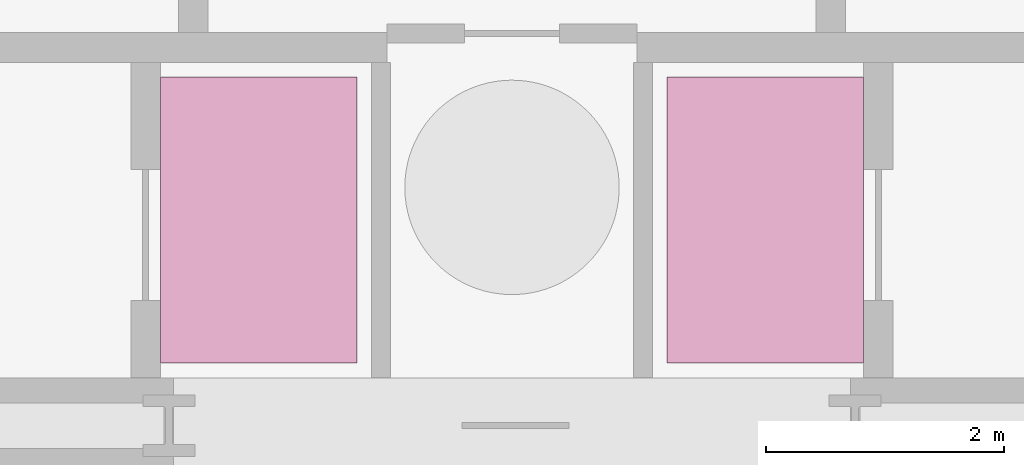
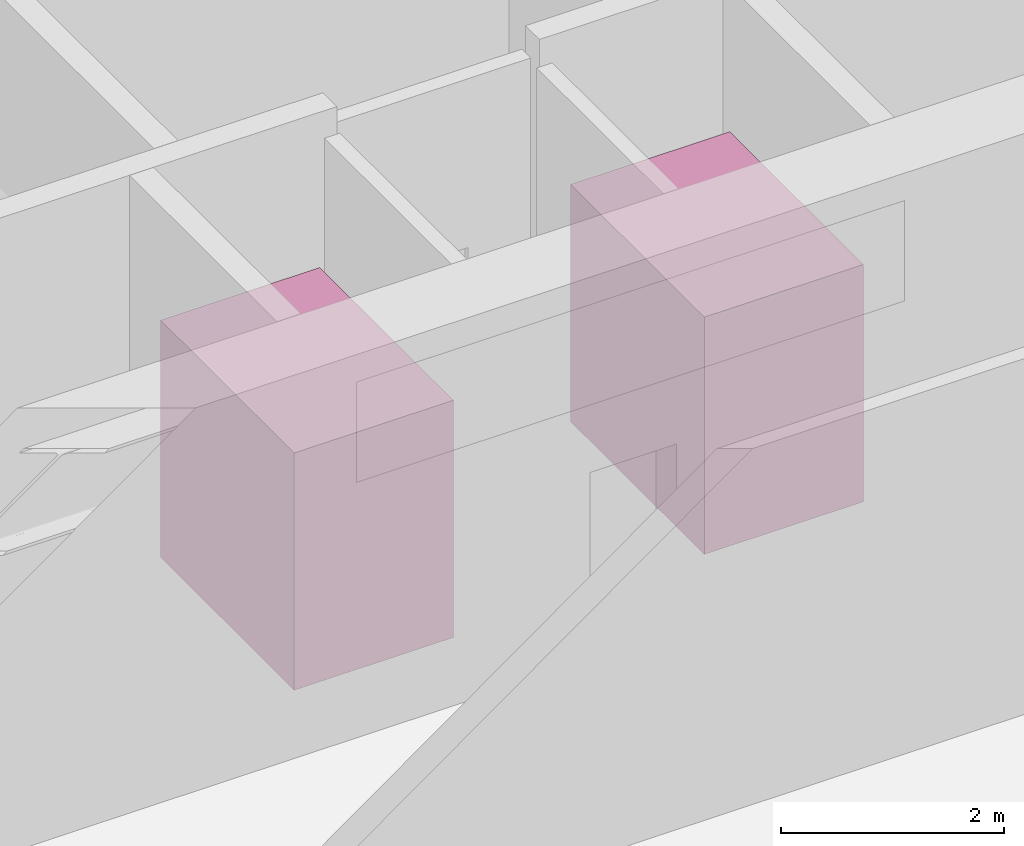
# One storey, part 8 of 8: 2 transport elements.
"""IFC4 building model written with IfcOpenShell, lengths in metres."""

from ifc_helpers import new_model, si_unit, direction, frame, origin, origin_2d, place, context, subcontext, project, spatial, rectangle, extrude, source, transform, mapped, material, type_object, type_shapes, element, save


model = new_model("IFC4")

# Units and contexts
model_context = context("Model", 3, precision=1e-05, world=origin(), true_north=direction((0.0, 1.0)))
body_context = subcontext(model_context, "Body", "Model", "MODEL_VIEW")
ifc_project = project(units=[si_unit("LENGTHUNIT", "METRE"), si_unit("AREAUNIT", "SQUARE_METRE"), si_unit("VOLUMEUNIT", "CUBIC_METRE"), si_unit("PLANEANGLEUNIT", "RADIAN"), si_unit("MASSUNIT", "GRAM", prefix="KILO")], contexts=[model_context])

# Site, building, storey
site_placement = place(None, origin())
site = spatial("IfcSite", under=ifc_project, at=site_placement, CompositionType="ELEMENT")
building_placement = place(site_placement, origin())
building = spatial("IfcBuilding", under=site, at=building_placement, Name="Astriad Promenade Condominiums", CompositionType="ELEMENT")
storey_placement = place(building_placement, frame((0.0, 0.0, -8.39990234375)))
storey = spatial("IfcBuildingStorey", under=building, at=storey_placement, Name="B02", CompositionType="ELEMENT", Elevation=-8.39990234375)

# Transport elements
ifc_material = material(Name="Stainless Steel Fire Service Elevator Cab", Category="steel")
transport_element_type = type_object("IfcTransportElementType", Name="LIFT-FSAE-2250", PredefinedType="ELEVATOR", material=ifc_material)
shared_shape = source(origin(), body_context, "Body", "SweptSolid", [
    extrude(rectangle(XDim=1.64990234375, YDim=2.39990234375, at=origin_2d()), origin(), (0.0, 0.0, 1.0), 2.60009765625),
])
type_shapes(transport_element_type, [shared_shape])
for number, where, z_axis, x_axis, name in (
    (1, (33.875, 19.125, -0.000244140625), (0.0, 0.0, 1.0), (1.0, 0.0, 0.0), "FFL-1"),
    (2, (38.125, 19.125, -0.000244140625), (0.0, 0.0, 1.0), (1.0, 0.0, 0.0), "FFL-2"),
):
    element("IfcTransportElement", number, at=place(storey_placement, frame(where, z_axis=z_axis, x_axis=x_axis)), inside=storey, type_object=transport_element_type, Name=name, PredefinedType="ELEVATOR", context=body_context, shape_type="MappedRepresentation", body=[
        mapped(shared_shape, transform((0.0, 0.0, 0.0), scale=1.0)),
    ])

save(model, "model.ifc")
